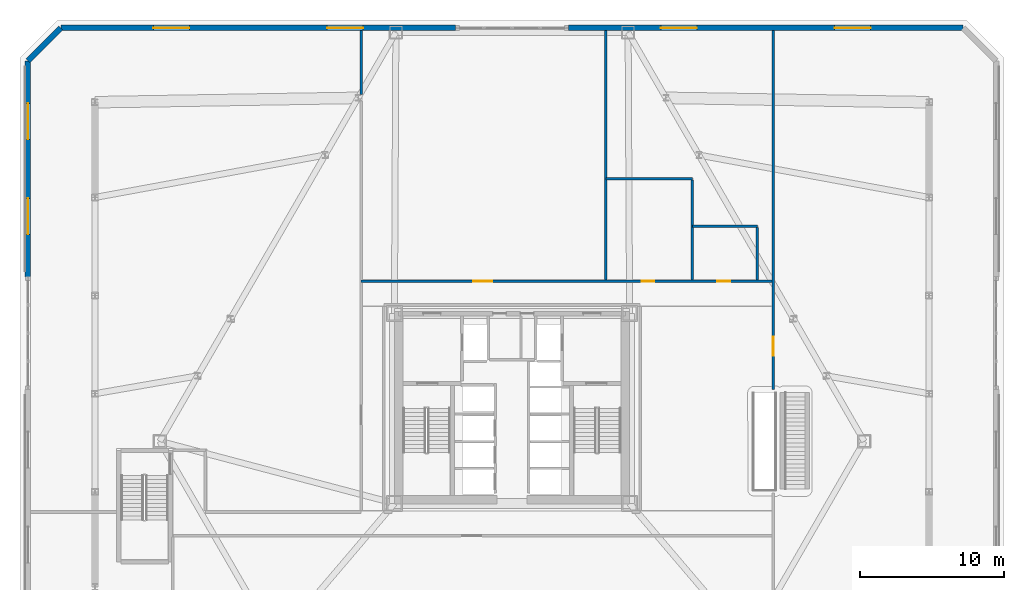
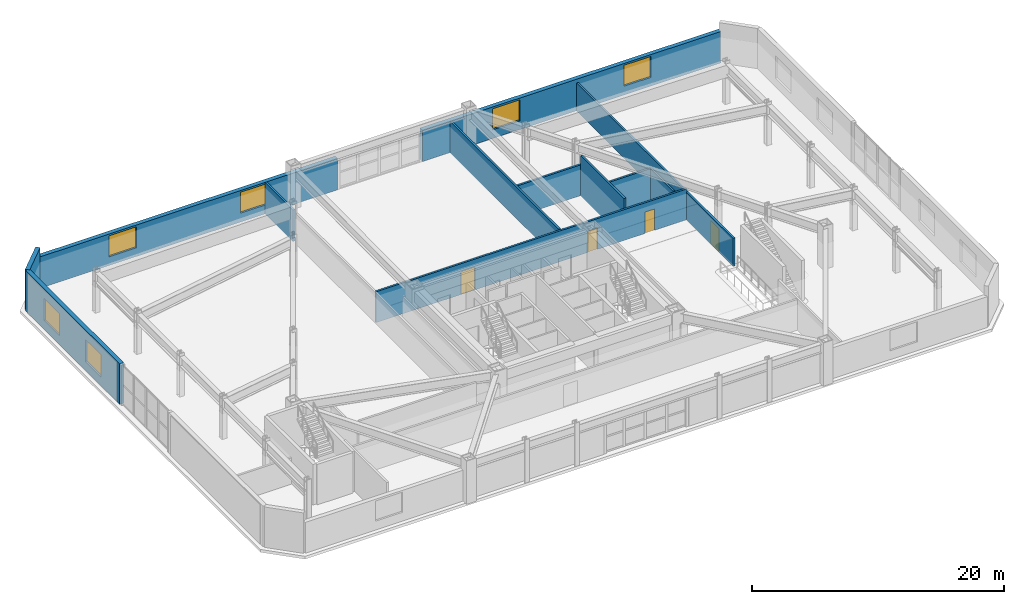
# One storey, part 15 of 22: 12 walls, 6 windows, 4 doors, 10 openings.
"""IFC4 building model written with IfcOpenShell, lengths in metres."""

from ifc_helpers import new_model, si_unit, direction, frame, frame_2d, origin, place, context, subcontext, project, spatial, rectangle, extrude, material, layer, layer_set, type_object, element, fill, save


model = new_model("IFC4")

# Units and contexts
model_context = context("Model", 3, precision=1e-05, world=origin(), true_north=direction((0.0, 1.0)))
body_context = subcontext(model_context, "Body", "Model", "MODEL_VIEW")
ifc_project = project(units=[si_unit("LENGTHUNIT", "METRE"), si_unit("AREAUNIT", "SQUARE_METRE"), si_unit("VOLUMEUNIT", "CUBIC_METRE"), si_unit("PLANEANGLEUNIT", "RADIAN"), si_unit("MASSUNIT", "GRAM", prefix="KILO")], contexts=[model_context])

# Site, building, storey
site_placement = place(None, origin())
site = spatial("IfcSite", under=ifc_project, at=site_placement, CompositionType="ELEMENT")
building_placement = place(site_placement, origin())
building = spatial("IfcBuilding", under=site, at=building_placement, Name="Oramaril Tower", CompositionType="ELEMENT")
storey_placement = place(building_placement, frame((0.0, 0.0, 14.10009765625)))
storey = spatial("IfcBuildingStorey", under=building, at=storey_placement, Name="L03", CompositionType="ELEMENT", Elevation=14.10009765625)

# Wall, openings, windows
ifc_material_1 = material(Name="Warm Cream Limestone", Category="masonry")
ifc_layer_1 = layer(ifc_material_1, 0.3798828125)
ifc_layer_set_1 = layer_set([ifc_layer_1], Name="WT-EXT38")
wall_type_1 = type_object("IfcWallType", Name="WT-EXT38", PredefinedType="SOLIDWALL", material=ifc_layer_set_1)
wall_1_placement = place(storey_placement, frame((68.772216796875, 43.949951171875, 0.0), z_axis=(0.0, 0.0, 1.0), x_axis=(-1.0, 0.0, 0.0)))
wall_1 = element("IfcWall", 1, at=wall_1_placement, inside=storey, type_object=wall_type_1, Name="L03 Limestone Facade Wall EW-5A", PredefinedType="SOLIDWALL", context=body_context, shape_type="SweptSolid", body=[
    extrude(rectangle(XDim=27.372314453125, YDim=0.3798828125, at=frame_2d((13.68603515625, 0.0))), origin(), (0.0, 0.0, 1.0), 3.053955078125),
])
opening_1_placement = place(wall_1_placement, frame((6.414306640625, 0.0, 0.85009765625)))
opening_1 = element("IfcOpeningElement", 2, at=opening_1_placement, cuts=wall_1, Name="Opening WN-11", PredefinedType="OPENING", context=body_context, shape_type="SweptSolid", body=[
    extrude(rectangle(XDim=2.5, YDim=2.033935546875, at=frame_2d((1.25, 1.01708984375))), frame((0.0, 0.18994140625, 0.0), z_axis=(0.0, -1.0, 0.0), x_axis=(1.0, 0.0, 0.0)), (0.0, 0.0, 1.0), 0.3798828125),
])
opening_2_placement = place(wall_1_placement, frame((18.4580078125, 0.0, 0.85009765625)))
opening_2 = element("IfcOpeningElement", 3, at=opening_2_placement, cuts=wall_1, Name="Opening WN-11", PredefinedType="OPENING", context=body_context, shape_type="SweptSolid", body=[
    extrude(rectangle(XDim=2.5, YDim=2.033935546875, at=frame_2d((1.25, 1.01708984375))), frame((0.0, 0.18994140625, 0.0), z_axis=(0.0, -1.0, 0.0), x_axis=(1.0, 0.0, 0.0)), (0.0, 0.0, 1.0), 0.3798828125),
])
ifc_material_2 = material(Name="Coastal Low-E Insulated Glass", Category="glass")
window_type = type_object("IfcWindowType", Name="WNT-11", PartitioningType="SINGLE_PANEL", PredefinedType="WINDOW", material=ifc_material_2)
window_1_placement = place(opening_1_placement, origin())
window_1 = element("IfcWindow", 4, at=window_1_placement, inside=storey, type_object=window_type, Name="L03 Podium Chicago Window", OverallHeight=2.033935546875, OverallWidth=2.5, PartitioningType="SINGLE_PANEL", PredefinedType="WINDOW", context=body_context, shape_type="SweptSolid", body=[
    extrude(rectangle(XDim=2.5, YDim=2.033935546875, at=frame_2d((1.25, 1.01708984375))), frame((0.0, 0.030029296875, 0.0), z_axis=(0.0, -1.0, 0.0), x_axis=(1.0, 0.0, 0.0)), (0.0, 0.0, 1.0), 0.06005859375),
])
fill(opening_1, window_1)
window_2_placement = place(opening_2_placement, origin())
window_2 = element("IfcWindow", 5, at=window_2_placement, inside=storey, type_object=window_type, Name="L03 Podium Chicago Window", OverallHeight=2.033935546875, OverallWidth=2.5, PartitioningType="SINGLE_PANEL", PredefinedType="WINDOW", context=body_context, shape_type="SweptSolid", body=[
    extrude(rectangle(XDim=2.5, YDim=2.033935546875, at=frame_2d((1.25, 1.01708984375))), frame((0.0, 0.030029296875, 0.0), z_axis=(0.0, -1.0, 0.0), x_axis=(1.0, 0.0, 0.0)), (0.0, 0.0, 1.0), 0.06005859375),
])
fill(opening_2, window_2)

wall_2_placement = place(storey_placement, frame((33.60009765625, 43.949951171875, 0.0), z_axis=(0.0, 0.0, 1.0), x_axis=(-1.0, 0.0, 0.0)))
wall_2 = element("IfcWall", 6, at=wall_2_placement, inside=storey, type_object=wall_type_1, Name="L03 Limestone Facade Wall EW-5B", PredefinedType="SOLIDWALL", context=body_context, shape_type="SweptSolid", body=[
    extrude(rectangle(XDim=27.372314453125, YDim=0.3798828125, at=frame_2d((13.68603515625, 0.0))), origin(), (0.0, 0.0, 1.0), 3.053955078125),
])
opening_3_placement = place(wall_2_placement, frame((6.414306640625, 0.0, 0.85009765625)))
opening_3 = element("IfcOpeningElement", 7, at=opening_3_placement, cuts=wall_2, Name="Opening WN-11", PredefinedType="OPENING", context=body_context, shape_type="SweptSolid", body=[
    extrude(rectangle(XDim=2.5, YDim=2.033935546875, at=frame_2d((1.25, 1.01708984375))), frame((0.0, 0.18994140625, 0.0), z_axis=(0.0, -1.0, 0.0), x_axis=(1.0, 0.0, 0.0)), (0.0, 0.0, 1.0), 0.3798828125),
])
opening_4_placement = place(wall_2_placement, frame((18.4580078125, 0.0, 0.85009765625)))
opening_4 = element("IfcOpeningElement", 8, at=opening_4_placement, cuts=wall_2, Name="Opening WN-11", PredefinedType="OPENING", context=body_context, shape_type="SweptSolid", body=[
    extrude(rectangle(XDim=2.5, YDim=2.033935546875, at=frame_2d((1.25, 1.01708984375))), frame((0.0, 0.18994140625, 0.0), z_axis=(0.0, -1.0, 0.0), x_axis=(1.0, 0.0, 0.0)), (0.0, 0.0, 1.0), 0.3798828125),
])
window_3_placement = place(opening_3_placement, origin())
window_3 = element("IfcWindow", 9, at=window_3_placement, inside=storey, type_object=window_type, Name="L03 Podium Chicago Window", OverallHeight=2.033935546875, OverallWidth=2.5, PartitioningType="SINGLE_PANEL", PredefinedType="WINDOW", context=body_context, shape_type="SweptSolid", body=[
    extrude(rectangle(XDim=2.5, YDim=2.033935546875, at=frame_2d((1.25, 1.01708984375))), frame((0.0, 0.030029296875, 0.0), z_axis=(0.0, -1.0, 0.0), x_axis=(1.0, 0.0, 0.0)), (0.0, 0.0, 1.0), 0.06005859375),
])
fill(opening_3, window_3)
window_4_placement = place(opening_4_placement, origin())
window_4 = element("IfcWindow", 10, at=window_4_placement, inside=storey, type_object=window_type, Name="L03 Podium Chicago Window", OverallHeight=2.033935546875, OverallWidth=2.5, PartitioningType="SINGLE_PANEL", PredefinedType="WINDOW", context=body_context, shape_type="SweptSolid", body=[
    extrude(rectangle(XDim=2.5, YDim=2.033935546875, at=frame_2d((1.25, 1.01708984375))), frame((0.0, 0.030029296875, 0.0), z_axis=(0.0, -1.0, 0.0), x_axis=(1.0, 0.0, 0.0)), (0.0, 0.0, 1.0), 0.06005859375),
])
fill(opening_4, window_4)

# Wall
wall_3_placement = place(storey_placement, frame((6.227783203125, 43.949951171875, 0.0), z_axis=(0.0, 0.0, 1.0), x_axis=(-0.707106781187, -0.707106781187, 0.0)))
element("IfcWall", 11, at=wall_3_placement, inside=storey, type_object=wall_type_1, Name="L03 Limestone Facade Wall EW-6M", PredefinedType="SOLIDWALL", context=body_context, shape_type="SweptSolid", body=[
    extrude(rectangle(XDim=3.221435546875, YDim=0.3798828125, at=frame_2d((1.61083984375, 0.0))), origin(), (0.0, 0.0, 1.0), 3.919921875),
])

# Wall, openings, windows
wall_4_placement = place(storey_placement, frame((3.949951171875, 41.672119140625, 0.0), z_axis=(0.0, 0.0, 1.0), x_axis=(0.0, -1.0, 0.0)))
wall_4 = element("IfcWall", 12, at=wall_4_placement, inside=storey, type_object=wall_type_1, Name="L03 Limestone Facade Wall EW-7A", PredefinedType="SOLIDWALL", context=body_context, shape_type="SweptSolid", body=[
    extrude(rectangle(XDim=14.97216796875, YDim=0.3798828125, at=frame_2d((7.486083984375, 0.0))), origin(), (0.0, 0.0, 1.0), 3.919921875),
])
opening_5_placement = place(wall_4_placement, frame((2.942138671875, 0.0, 0.85009765625)))
opening_5 = element("IfcOpeningElement", 13, at=opening_5_placement, cuts=wall_4, Name="Opening WN-11", PredefinedType="OPENING", context=body_context, shape_type="SweptSolid", body=[
    extrude(rectangle(XDim=2.5, YDim=2.14990234375, at=frame_2d((1.25, 1.074951171875))), frame((0.0, 0.18994140625, 0.0), z_axis=(0.0, -1.0, 0.0), x_axis=(1.0, 0.0, 0.0)), (0.0, 0.0, 1.0), 0.3798828125),
])
opening_6_placement = place(wall_4_placement, frame((9.530029296875, 0.0, 0.85009765625)))
opening_6 = element("IfcOpeningElement", 14, at=opening_6_placement, cuts=wall_4, Name="Opening WN-11", PredefinedType="OPENING", context=body_context, shape_type="SweptSolid", body=[
    extrude(rectangle(XDim=2.5, YDim=2.14990234375, at=frame_2d((1.25, 1.074951171875))), frame((0.0, 0.18994140625, 0.0), z_axis=(0.0, -1.0, 0.0), x_axis=(1.0, 0.0, 0.0)), (0.0, 0.0, 1.0), 0.3798828125),
])
window_5_placement = place(opening_5_placement, origin())
window_5 = element("IfcWindow", 15, at=window_5_placement, inside=storey, type_object=window_type, Name="L03 Podium Chicago Window", OverallHeight=2.14990234375, OverallWidth=2.5, PartitioningType="SINGLE_PANEL", PredefinedType="WINDOW", context=body_context, shape_type="SweptSolid", body=[
    extrude(rectangle(XDim=2.5, YDim=2.14990234375, at=frame_2d((1.25, 1.074951171875))), frame((0.0, 0.030029296875, 0.0), z_axis=(0.0, -1.0, 0.0), x_axis=(1.0, 0.0, 0.0)), (0.0, 0.0, 1.0), 0.06005859375),
])
fill(opening_5, window_5)
window_6_placement = place(opening_6_placement, origin())
window_6 = element("IfcWindow", 16, at=window_6_placement, inside=storey, type_object=window_type, Name="L03 Podium Chicago Window", OverallHeight=2.14990234375, OverallWidth=2.5, PartitioningType="SINGLE_PANEL", PredefinedType="WINDOW", context=body_context, shape_type="SweptSolid", body=[
    extrude(rectangle(XDim=2.5, YDim=2.14990234375, at=frame_2d((1.25, 1.074951171875))), frame((0.0, 0.030029296875, 0.0), z_axis=(0.0, -1.0, 0.0), x_axis=(1.0, 0.0, 0.0)), (0.0, 0.0, 1.0), 0.06005859375),
])
fill(opening_6, window_6)

# Wall, openings, doors
ifc_material_3 = material(Name="Autoclaved Cellular Concrete Block", Category="concrete")
ifc_layer_2 = layer(ifc_material_3, 0.179931640625)
ifc_layer_set_2 = layer_set([ifc_layer_2], Name="WT-PT18")
wall_type_2 = type_object("IfcWallType", Name="WT-PT18", PredefinedType="PARTITIONING", material=ifc_layer_set_2)
wall_5_placement = place(storey_placement, frame((27.050048828125, 26.39990234375, 0.0), z_axis=(0.0, 0.0, 1.0), x_axis=(1.0, 0.0, 0.0)))
wall_5 = element("IfcWall", 17, at=wall_5_placement, inside=storey, type_object=wall_type_2, Name="L03 Interior Partition PT-18", PredefinedType="PARTITIONING", context=body_context, shape_type="SweptSolid", body=[
    extrude(rectangle(XDim=28.550048828125, YDim=0.179931640625, at=frame_2d((14.27490234375, 0.0))), origin(), (0.0, 0.0, 1.0), 2.98291015625),
])
opening_7_placement = place(wall_5_placement, frame((7.776123046875, 0.0, 0.0)))
opening_7 = element("IfcOpeningElement", 18, at=opening_7_placement, cuts=wall_5, Name="Opening D-L03-02", PredefinedType="OPENING", context=body_context, shape_type="SweptSolid", body=[
    extrude(rectangle(XDim=1.300048828125, YDim=2.199951171875, at=frame_2d((0.64990234375, 1.10009765625))), frame((0.0, 0.08984375, 0.0), z_axis=(0.0, -1.0, 0.0), x_axis=(1.0, 0.0, 0.0)), (0.0, 0.0, 1.0), 0.179931640625),
])
opening_8_placement = place(wall_5_placement, frame((19.43701171875, 0.0, 0.0)))
opening_8 = element("IfcOpeningElement", 19, at=opening_8_placement, cuts=wall_5, Name="Opening D-L03-03", PredefinedType="OPENING", context=body_context, shape_type="SweptSolid", body=[
    extrude(rectangle(XDim=0.8798828125, YDim=2.080078125, at=frame_2d((0.43994140625, 1.0400390625))), frame((0.0, 0.08984375, 0.0), z_axis=(0.0, -1.0, 0.0), x_axis=(1.0, 0.0, 0.0)), (0.0, 0.0, 1.0), 0.179931640625),
])
opening_9_placement = place(wall_5_placement, frame((24.687744140625, 0.0, 0.0)))
opening_9 = element("IfcOpeningElement", 20, at=opening_9_placement, cuts=wall_5, Name="Opening D-L03-04", PredefinedType="OPENING", context=body_context, shape_type="SweptSolid", body=[
    extrude(rectangle(XDim=0.8798828125, YDim=2.080078125, at=frame_2d((0.43994140625, 1.0400390625))), frame((0.0, 0.08984375, 0.0), z_axis=(0.0, -1.0, 0.0), x_axis=(1.0, 0.0, 0.0)), (0.0, 0.0, 1.0), 0.179931640625),
])
ifc_material_4 = material(Name="FSC Brazilian Freijo Hardwood", Category="wood")
door_type_1 = type_object("IfcDoorType", Name="DT-BATH", OperationType="NOTDEFINED", PredefinedType="DOOR", material=ifc_material_4)
door_1_placement = place(opening_8_placement, origin())
door_1 = element("IfcDoor", 21, at=door_1_placement, inside=storey, type_object=door_type_1, Name="L03 L03 Spa Changing Bathroom Door D-L03-03", OperationType="SINGLE_SWING_LEFT", OverallHeight=2.080078125, OverallWidth=0.8798828125, PredefinedType="DOOR", context=body_context, shape_type="SweptSolid", body=[
    extrude(rectangle(XDim=0.8798828125, YDim=2.080078125, at=frame_2d((0.43994140625, 1.0400390625))), frame((0.0, 0.02490234375, 0.0), z_axis=(0.0, -1.0, 0.0), x_axis=(1.0, 0.0, 0.0)), (0.0, 0.0, 1.0), 0.050048828125),
])
fill(opening_8, door_1)
door_2_placement = place(opening_9_placement, origin())
door_2 = element("IfcDoor", 22, at=door_2_placement, inside=storey, type_object=door_type_1, Name="L03 L03 Accessible WC Door D-L03-04", OperationType="SINGLE_SWING_RIGHT", OverallHeight=2.080078125, OverallWidth=0.8798828125, PredefinedType="DOOR", context=body_context, shape_type="SweptSolid", body=[
    extrude(rectangle(XDim=0.8798828125, YDim=2.080078125, at=frame_2d((0.43994140625, 1.0400390625))), frame((0.0, 0.02490234375, 0.0), z_axis=(0.0, -1.0, 0.0), x_axis=(1.0, 0.0, 0.0)), (0.0, 0.0, 1.0), 0.050048828125),
])
fill(opening_9, door_2)
ifc_material_5 = material(Name="FSC Brazilian Freijo Hardwood", Category="wood")
door_type_2 = type_object("IfcDoorType", Name="DT-COM", OperationType="NOTDEFINED", PredefinedType="DOOR", material=ifc_material_5)
door_3_placement = place(opening_7_placement, origin())
door_3 = element("IfcDoor", 23, at=door_3_placement, inside=storey, type_object=door_type_2, Name="L03 L03 Private Cinema Lounge Door D-L03-02", OperationType="SINGLE_SWING_RIGHT", OverallHeight=2.199951171875, OverallWidth=1.300048828125, PredefinedType="DOOR", context=body_context, shape_type="SweptSolid", body=[
    extrude(rectangle(XDim=1.300048828125, YDim=2.199951171875, at=frame_2d((0.64990234375, 1.10009765625))), frame((0.0, 0.02490234375, 0.0), z_axis=(0.0, -1.0, 0.0), x_axis=(1.0, 0.0, 0.0)), (0.0, 0.0, 1.0), 0.050048828125),
])
fill(opening_7, door_3)

# Walls
wall_6_placement = place(storey_placement, frame((50.0, 30.199951171875, 0.0), z_axis=(0.0, 0.0, 1.0), x_axis=(1.0, 0.0, 0.0)))
element("IfcWall", 24, at=wall_6_placement, inside=storey, type_object=wall_type_2, Name="L03 Interior Partition PT-18", PredefinedType="PARTITIONING", context=body_context, shape_type="SweptSolid", body=[
    extrude(rectangle(XDim=4.5, YDim=0.179931640625, at=frame_2d((2.25, 0.0))), origin(), (0.0, 0.0, 1.0), 3.053955078125),
])
wall_7_placement = place(storey_placement, frame((44.0, 33.5, 0.0), z_axis=(0.0, 0.0, 1.0), x_axis=(1.0, 0.0, 0.0)))
element("IfcWall", 25, at=wall_7_placement, inside=storey, type_object=wall_type_2, Name="L03 Interior Partition PT-18", PredefinedType="PARTITIONING", context=body_context, shape_type="SweptSolid", body=[
    extrude(rectangle(XDim=6.0, YDim=0.179931640625, at=frame_2d((3.0, 0.0))), origin(), (0.0, 0.0, 1.0), 2.98291015625),
])
wall_8_placement = place(storey_placement, frame((27.050048828125, 39.33154296875, 0.0), z_axis=(0.0, 0.0, 1.0), x_axis=(0.0, 1.0, 0.0)))
element("IfcWall", 26, at=wall_8_placement, inside=storey, type_object=wall_type_2, Name="L03 Interior Partition PT-18", PredefinedType="PARTITIONING", context=body_context, shape_type="SweptSolid", body=[
    extrude(rectangle(XDim=4.424560546875, YDim=0.179931640625, at=frame_2d((2.21240234375, 0.0))), origin(), (0.0, 0.0, 1.0), 3.053955078125),
])
wall_9_placement = place(storey_placement, frame((44.0, 26.493896484375, 0.0), z_axis=(0.0, 0.0, 1.0), x_axis=(0.0, 1.0, 0.0)))
element("IfcWall", 27, at=wall_9_placement, inside=storey, type_object=wall_type_2, Name="L03 Interior Partition PT-18", PredefinedType="PARTITIONING", context=body_context, shape_type="SweptSolid", body=[
    extrude(rectangle(XDim=17.26220703125, YDim=0.179931640625, at=frame_2d((8.631103515625, 0.0))), origin(), (0.0, 0.0, 1.0), 3.053955078125),
])
wall_10_placement = place(storey_placement, frame((50.0, 26.493896484375, 0.0), z_axis=(0.0, 0.0, 1.0), x_axis=(0.0, 1.0, 0.0)))
element("IfcWall", 28, at=wall_10_placement, inside=storey, type_object=wall_type_2, Name="L03 Interior Partition PT-18", PredefinedType="PARTITIONING", context=body_context, shape_type="SweptSolid", body=[
    extrude(rectangle(XDim=6.912109375, YDim=0.179931640625, at=frame_2d((3.4560546875, 0.0))), origin(), (0.0, 0.0, 1.0), 3.919921875),
])
wall_11_placement = place(storey_placement, frame((54.5, 26.493896484375, 0.0), z_axis=(0.0, 0.0, 1.0), x_axis=(0.0, 1.0, 0.0)))
element("IfcWall", 29, at=wall_11_placement, inside=storey, type_object=wall_type_2, Name="L03 Interior Partition PT-18", PredefinedType="PARTITIONING", context=body_context, shape_type="SweptSolid", body=[
    extrude(rectangle(XDim=3.612060546875, YDim=0.179931640625, at=frame_2d((1.80615234375, 0.0))), origin(), (0.0, 0.0, 1.0), 3.053955078125),
])

# Wall, opening, door
wall_12_placement = place(storey_placement, frame((55.60009765625, 18.889404296875, 0.0), z_axis=(0.0, 0.0, 1.0), x_axis=(0.0, 1.0, 0.0)))
wall_12 = element("IfcWall", 30, at=wall_12_placement, inside=storey, type_object=wall_type_2, Name="L03 Interior Partition PT-18", PredefinedType="PARTITIONING", context=body_context, shape_type="SweptSolid", body=[
    extrude(rectangle(XDim=24.86669921875, YDim=0.179931640625, at=frame_2d((12.433349609375, 0.0))), origin(), (0.0, 0.0, 1.0), 2.7099609375),
])
opening_10_placement = place(wall_12_placement, frame((2.3564453125, 0.0, 0.0)))
opening_10 = element("IfcOpeningElement", 31, at=opening_10_placement, cuts=wall_12, Name="Opening D-L03-06", PredefinedType="OPENING", context=body_context, shape_type="SweptSolid", body=[
    extrude(rectangle(XDim=1.300048828125, YDim=2.199951171875, at=frame_2d((0.64990234375, 1.10009765625))), frame((0.0, 0.08984375, 0.0), z_axis=(0.0, -1.0, 0.0), x_axis=(1.0, 0.0, 0.0)), (0.0, 0.0, 1.0), 0.179931640625),
])
door_4_placement = place(opening_10_placement, origin())
door_4 = element("IfcDoor", 32, at=door_4_placement, inside=storey, type_object=door_type_2, Name="L03 L03 Pilates and Yoga Studio Door D-L03-06", OperationType="SINGLE_SWING_RIGHT", OverallHeight=2.199951171875, OverallWidth=1.300048828125, PredefinedType="DOOR", context=body_context, shape_type="SweptSolid", body=[
    extrude(rectangle(XDim=1.300048828125, YDim=2.199951171875, at=frame_2d((0.64990234375, 1.10009765625))), frame((0.0, 0.02490234375, 0.0), z_axis=(0.0, -1.0, 0.0), x_axis=(1.0, 0.0, 0.0)), (0.0, 0.0, 1.0), 0.050048828125),
])
fill(opening_10, door_4)

save(model, "model.ifc")
